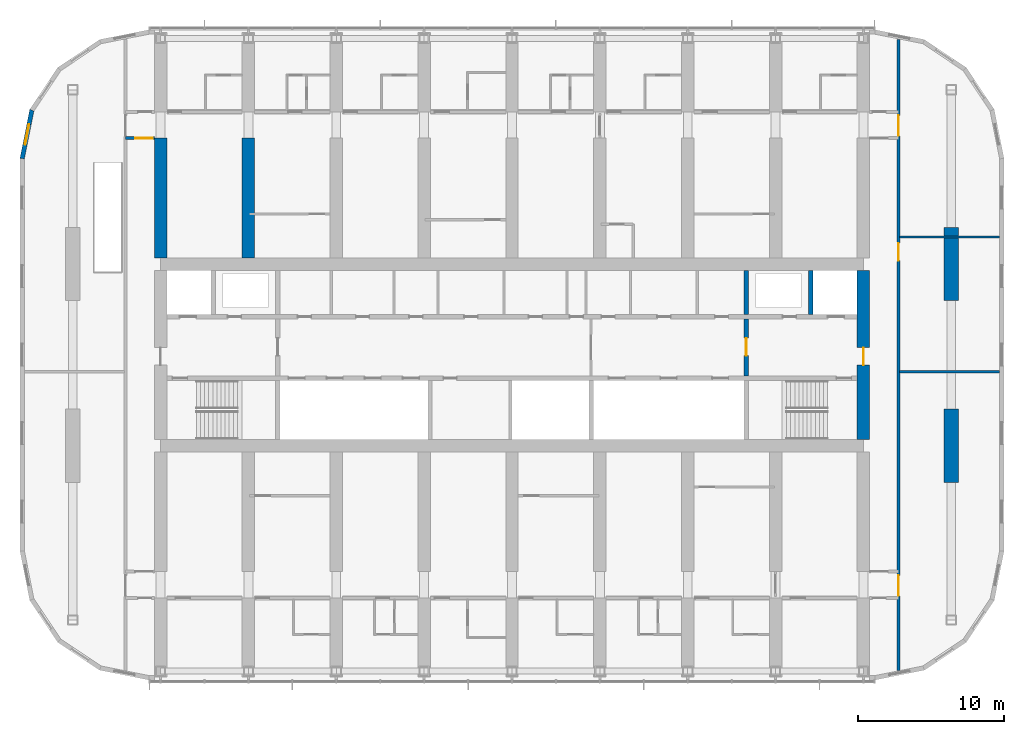
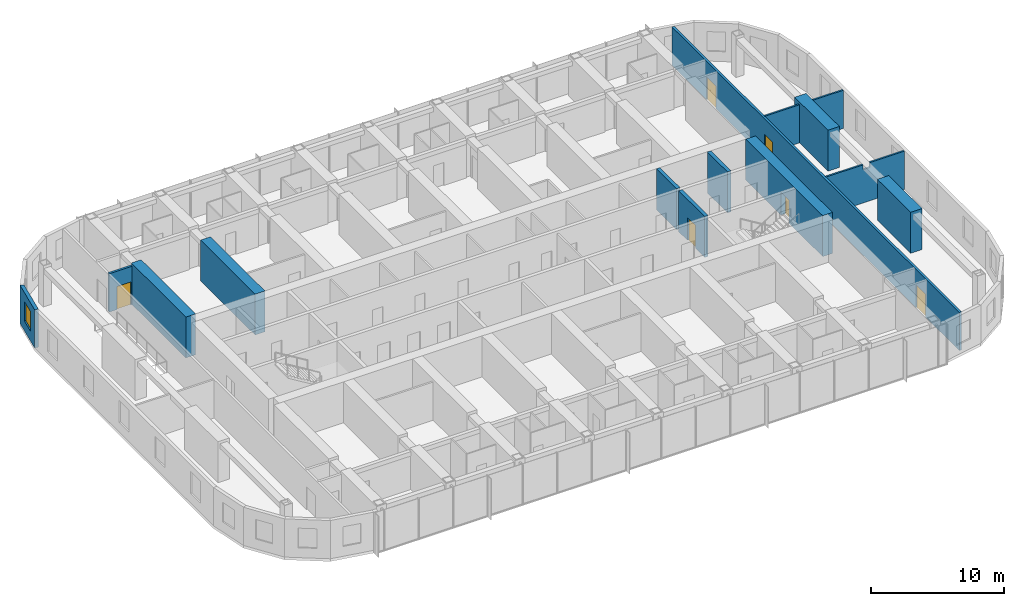
# One storey, part 14 of 22: 13 walls, 6 doors, 1 window, 7 openings.
"""IFC4 building model written with IfcOpenShell, lengths in metres."""

import ifcopenshell
import ifcopenshell.guid

model = None  # the IFC model being written
_history = None  # IfcOwnerHistory: only IFC2X3 demands one
_inside = {}  # id of a spatial element -> (the spatial element, [elements in it])
_under = {}  # id of a project, library or spatial element -> (it, [spatial elements below it])
_declared = {}  # id of a project -> (the project, [libraries it declares])
_typed = {}  # id of a type object -> (the type object, [elements of that type])
_made_of = {}  # id of a material, layer set ... -> (it, [elements and type objects made of it])


def new_model(schema):
    """Start an empty IFC model of exactly this schema.

    Asked for "IFC4X3", IfcOpenShell would pick the latest addendum, in which some entities
    have other attributes; the version numbers below select the first issue.
    IFC2X3 requires an IfcOwnerHistory on every rooted entity: one is made here for all.
    """
    global model, _history
    if schema == "IFC4X3":
        model = ifcopenshell.file(schema_version=(4, 3, 0, 0))
    else:
        model = ifcopenshell.file(schema=schema)
    _inside.clear()
    _under.clear()
    _declared.clear()
    _typed.clear()
    _made_of.clear()
    _history = None
    if model.schema == "IFC2X3":
        org = make("IfcOrganization", Name="unknown")
        user = make(
            "IfcPersonAndOrganization",
            ThePerson=make("IfcPerson", FamilyName="unknown"),
            TheOrganization=org,
        )
        app = make(
            "IfcApplication",
            ApplicationDeveloper=org,
            Version="unknown",
            ApplicationFullName="unknown",
            ApplicationIdentifier="unknown",
        )
        _history = make(
            "IfcOwnerHistory",
            OwningUser=user,
            OwningApplication=app,
            ChangeAction="ADDED",
            CreationDate=0,
        )
    return model


def make(cls, **values):
    """One entity of the class cls with the attributes given. An attribute that is None is left unset."""
    return model.create_entity(
        cls, **{name: value for name, value in values.items() if value is not None}
    )


def rooted(cls, **values):
    """An entity with a GlobalId (a new one), such as an element, a storey or a relation."""
    return make(cls, GlobalId=ifcopenshell.guid.new(), OwnerHistory=_history, **values)


def si_unit(unit_type, name, prefix=None):
    """IfcSIUnit, for example si_unit("LENGTHUNIT", "METRE", prefix="MILLI")."""
    return make("IfcSIUnit", UnitType=unit_type, Prefix=prefix, Name=name)


def assignment(units):
    """IfcUnitAssignment: the units of a project."""
    return None if units is None else make("IfcUnitAssignment", Units=units)


def point(xyz):
    """IfcCartesianPoint."""
    return None if xyz is None else make("IfcCartesianPoint", Coordinates=xyz)


def direction(xyz):
    """IfcDirection."""
    return None if xyz is None else make("IfcDirection", DirectionRatios=xyz)


def frame(location, z_axis=None, x_axis=None):
    """IfcAxis2Placement3D, a coordinate frame: its origin and axes. An axis left out is left unset."""
    return make(
        "IfcAxis2Placement3D",
        Location=point(location),
        Axis=direction(z_axis),
        RefDirection=direction(x_axis),
    )


def frame_2d(location, x_axis=None):
    """IfcAxis2Placement2D, a coordinate frame in the plane: its origin and x axis."""
    return make(
        "IfcAxis2Placement2D", Location=point(location), RefDirection=direction(x_axis)
    )


def origin():
    """The frame at (0, 0, 0) with its axes left unset."""
    return frame((0.0, 0.0, 0.0))


def place(relative_to, where):
    """IfcLocalPlacement: puts the frame where relative to a parent placement (None: the world)."""
    return make(
        "IfcLocalPlacement", PlacementRelTo=relative_to, RelativePlacement=where
    )


def context(
    kind, dimensions, precision=None, world=None, true_north=None, identifier=None
):
    """IfcGeometricRepresentationContext, for example the 3D "Model" context."""
    return make(
        "IfcGeometricRepresentationContext",
        ContextIdentifier=identifier,
        ContextType=kind,
        CoordinateSpaceDimension=dimensions,
        Precision=precision,
        WorldCoordinateSystem=world,
        TrueNorth=true_north,
    )


def subcontext(parent, identifier, kind, view, scale=None):
    """IfcGeometricRepresentationSubContext, for example "Body" below "Model"."""
    return make(
        "IfcGeometricRepresentationSubContext",
        ContextIdentifier=identifier,
        ContextType=kind,
        ParentContext=parent,
        TargetScale=scale,
        TargetView=view,
    )


def project(units=None, contexts=None):
    """IfcProject with its units and contexts."""
    return rooted(
        "IfcProject",
        Name="project",
        RepresentationContexts=contexts,
        UnitsInContext=assignment(units),
    )


def spatial(cls, under=None, at=None, **own):
    """A site, building, storey or space (cls), placed at a placement, below another one or the project."""
    s = rooted(cls, ObjectPlacement=at, **own)
    if under is not None:
        _under.setdefault(under.id(), (under, []))[1].append(s)
    return s


def polyline(points):
    """IfcPolyline through the points."""
    return make("IfcPolyline", Points=[point(p) for p in points])


def profile(cls, at=None, kind="AREA", **sizes):
    """A parametric profile (cls). Its sizes go by their IFC names, for example OverallWidth=200.0."""
    return make(cls, ProfileType=kind, Position=at, **sizes)


def rectangle(**sizes):
    """IfcRectangleProfileDef."""
    return profile("IfcRectangleProfileDef", **sizes)


def outline(outer, holes=None, kind="AREA"):
    """IfcArbitraryClosedProfileDef: a profile drawn as a closed curve; with holes, ...WithVoids."""
    if holes is None:
        return make("IfcArbitraryClosedProfileDef", ProfileType=kind, OuterCurve=outer)
    return make(
        "IfcArbitraryProfileDefWithVoids",
        ProfileType=kind,
        OuterCurve=outer,
        InnerCurves=holes,
    )


def extrude(swept, where, along, depth):
    """IfcExtrudedAreaSolid: the profile swept, set in the frame where, extruded along a direction by depth."""
    return make(
        "IfcExtrudedAreaSolid",
        SweptArea=swept,
        Position=where,
        ExtrudedDirection=direction(along),
        Depth=depth,
    )


def shape(context_of_items, identifier, shape_type, items):
    """IfcShapeRepresentation: the items that make up one representation, for example the "Body"."""
    return make(
        "IfcShapeRepresentation",
        ContextOfItems=context_of_items,
        RepresentationIdentifier=identifier,
        RepresentationType=shape_type,
        Items=items,
    )


def material(Name=None, Category=None):
    """IfcMaterial."""
    return make("IfcMaterial", Name=Name, Category=Category)


def layer(
    of_material, thickness, ventilated=None, Name=None, Category=None, Priority=None
):
    """IfcMaterialLayer: one layer of a wall or slab, of a material (None: an air gap)."""
    return make(
        "IfcMaterialLayer",
        Material=of_material,
        LayerThickness=thickness,
        IsVentilated=ventilated,
        Name=Name,
        Category=Category,
        Priority=Priority,
    )


def layer_set(layers, Name=None):
    """IfcMaterialLayerSet."""
    return make("IfcMaterialLayerSet", MaterialLayers=layers, LayerSetName=Name)


def made_of(thing, what):
    """Note that an element or type object is made of a material, layer set ...; save() writes the relation."""
    if what is not None:
        _made_of.setdefault(what.id(), (what, []))[1].append(thing)
    return thing


def type_object(cls, material=None, **own):
    """A type object (cls), such as IfcWallType, which elements share."""
    return made_of(rooted(cls, **own), material)


def element(
    cls,
    number,
    at=None,
    inside=None,
    cuts=None,
    type_object=None,
    material=None,
    context=None,
    identifier="Body",
    shape_type=None,
    held_by="IfcProductDefinitionShape",
    body=None,
    shapes=None,
    **own,
):
    """One element of the class cls, such as IfcWall. Its Tag is "e" and its number.

    at: its placement. inside: the storey or other place that contains it. cuts: it is an
    opening in that element (IfcRelVoidsElement). A single representation is given by context,
    identifier, shape_type and body (its items); several are given by shapes. held_by: the class
    of the entity that holds the representations. save() writes the other relations.
    """
    e = rooted(cls, Tag="e%d" % number, ObjectPlacement=at, **own)
    if body is not None:
        shapes = [shape(context, identifier, shape_type, body)]
    if shapes is not None:
        e.Representation = make(held_by, Representations=shapes)
    if inside is not None:
        _inside.setdefault(inside.id(), (inside, []))[1].append(e)
    if cuts is not None:
        rooted(
            "IfcRelVoidsElement", RelatingBuildingElement=cuts, RelatedOpeningElement=e
        )
    if type_object is not None:
        _typed.setdefault(type_object.id(), (type_object, []))[1].append(e)
    return made_of(e, material)


def fill(opening, filler):
    """IfcRelFillsElement: the door or window that sits in an opening."""
    return rooted(
        "IfcRelFillsElement",
        RelatingOpeningElement=opening,
        RelatedBuildingElement=filler,
    )


def aggregate(whole, parts):
    """IfcRelAggregates: a whole, such as a stair, and the parts it consists of."""
    return rooted("IfcRelAggregates", RelatingObject=whole, RelatedObjects=parts)


def save(model, path):
    """Write the relations noted so far, then the file.

    IfcRelAggregates (storeys below a building ...), IfcRelContainedInSpatialStructure (elements
    in a storey), IfcRelDefinesByType, IfcRelAssociatesMaterial and IfcRelDeclares: one each for
    every whole, place, type object, material and project.
    """
    for whole, parts in _under.values():
        aggregate(whole, parts)
    for where, things in _inside.values():
        rooted(
            "IfcRelContainedInSpatialStructure",
            RelatedElements=things,
            RelatingStructure=where,
        )
    for kind, things in _typed.values():
        rooted("IfcRelDefinesByType", RelatedObjects=things, RelatingType=kind)
    for what, things in _made_of.values():
        rooted("IfcRelAssociatesMaterial", RelatedObjects=things, RelatingMaterial=what)
    for by, libraries in _declared.values():
        rooted("IfcRelDeclares", RelatingContext=by, RelatedDefinitions=libraries)
    model.write(path)


model = new_model("IFC4")

# Units and contexts
model_context = context("Model", 3, precision=1e-05, world=origin(), true_north=direction((0.0, 1.0)))
body_context = subcontext(model_context, "Body", "Model", "MODEL_VIEW")
ifc_project = project(units=[si_unit("LENGTHUNIT", "METRE"), si_unit("AREAUNIT", "SQUARE_METRE"), si_unit("VOLUMEUNIT", "CUBIC_METRE"), si_unit("PLANEANGLEUNIT", "RADIAN"), si_unit("MASSUNIT", "GRAM", prefix="KILO")], contexts=[model_context])

# Site, building, storey
site_placement = place(None, origin())
site = spatial("IfcSite", under=ifc_project, at=site_placement, CompositionType="ELEMENT")
building_placement = place(site_placement, origin())
building = spatial("IfcBuilding", under=site, at=building_placement, Name="Orbita Commons", CompositionType="ELEMENT")
storey_placement = place(building_placement, frame((0.0, 0.0, 152.35009765625)))
storey = spatial("IfcBuildingStorey", under=building, at=storey_placement, Name="L37", CompositionType="ELEMENT", Elevation=152.35009765625)

# Wall, opening, door
ifc_material_1 = material(Name="Concrete C50/60", Category="concrete")
ifc_layer_1 = layer(ifc_material_1, 0.300048828125)
ifc_layer_set_1 = layer_set([ifc_layer_1], Name="Concrete C50/60")
wall_type_1 = type_object("IfcWallType", Name="Core inner wall 300 C50/60", PredefinedType="SHEAR", material=ifc_layer_set_1)
wall_1_placement = place(storey_placement, frame((58.0, 30.550048828125, 0.0), z_axis=(0.0, 0.0, 1.0), x_axis=(0.0, 1.0, 0.0)))
wall_1 = element("IfcWall", 1, at=wall_1_placement, inside=storey, type_object=wall_type_1, Name="Firefighting lobby wall east L37", PredefinedType="SHEAR", context=body_context, shape_type="SweptSolid", body=[
    extrude(rectangle(XDim=3.89990234375, YDim=0.300048828125, at=frame_2d((1.949951171875, 0.0))), origin(), (0.0, 0.0, 1.0), 3.75),
])
opening_1_placement = place(wall_1_placement, frame((1.39990234375, 0.0, 0.0)))
opening_1 = element("IfcOpeningElement", 2, at=opening_1_placement, cuts=wall_1, Name="Opening D04", PredefinedType="OPENING", context=body_context, shape_type="SweptSolid", body=[
    extrude(rectangle(XDim=1.199951171875, YDim=2.10009765625, at=frame_2d((0.60009765625, 1.050048828125))), frame((0.0, 0.159912109375, 0.0), z_axis=(0.0, -1.0, 0.0), x_axis=(1.0, 0.0, 0.0)), (0.0, 0.0, 1.0), 0.320068359375),
])
ifc_material_2 = material(Name="Steel-faced fire door leaf", Category="steel")
door_type_1 = type_object("IfcDoorType", Name="Service door 20 min 1200x2100", OperationType="SINGLE_SWING_LEFT", PredefinedType="DOOR", material=ifc_material_2)
door_1_placement = place(opening_1_placement, origin())
door_1 = element("IfcDoor", 3, at=door_1_placement, inside=storey, type_object=door_type_1, Name="Lift lobby door east", OperationType="SINGLE_SWING_LEFT", OverallHeight=2.10009765625, OverallWidth=1.199951171875, PredefinedType="DOOR", context=body_context, shape_type="SweptSolid", body=[
    extrude(rectangle(XDim=1.199951171875, YDim=2.10009765625, at=frame_2d((0.60009765625, 1.050048828125))), frame((0.0, 0.02490234375, 0.0), z_axis=(0.0, -1.0, 0.0), x_axis=(1.0, 0.0, 0.0)), (0.0, 0.0, 1.0), 0.050048828125),
])
fill(opening_1, door_1)

# Walls
for number, where, z_axis, x_axis, name in (
    (4, (62.39990234375, 34.75, 0.0), (0.0, 0.0, 1.0), (0.0, 1.0, 0.0), "Firefighting lift FL2 shaft wall L37"),
    (5, (58.0, 34.75, 0.0), (0.0, 0.0, 1.0), (0.0, 1.0, 0.0), "Riser wall east L37"),
):
    element("IfcWall", number, at=place(storey_placement, frame(where, z_axis=z_axis, x_axis=x_axis)), inside=storey, type_object=wall_type_1, Name=name, PredefinedType="SHEAR", context=body_context, shape_type="SweptSolid", body=[
        extrude(rectangle(XDim=3.02490234375, YDim=0.300048828125, at=frame_2d((1.512451171875, 0.0))), origin(), (0.0, 0.0, 1.0), 3.75),
    ])

# Wall, opening, door
ifc_material_3 = material(Name="Concrete C50/60", Category="concrete")
ifc_layer_2 = layer(ifc_material_3, 0.85009765625)
ifc_layer_set_2 = layer_set([ifc_layer_2], Name="Concrete C50/60")
wall_type_2 = type_object("IfcWallType", Name="Core wall 850 C50/60", PredefinedType="SHEAR", material=ifc_layer_set_2)
wall_2_placement = place(storey_placement, frame((66.0, 26.22509765625, 0.0), z_axis=(0.0, 0.0, 1.0), x_axis=(0.0, 1.0, 0.0)))
wall_2 = element("IfcWall", 6, at=wall_2_placement, inside=storey, type_object=wall_type_2, Name="Core end wall east L37", PredefinedType="SHEAR", context=body_context, shape_type="SweptSolid", body=[
    extrude(rectangle(XDim=11.5498046875, YDim=0.85009765625, at=frame_2d((5.77490234375, 0.0))), origin(), (0.0, 0.0, 1.0), 3.75),
])
opening_2_placement = place(wall_2_placement, frame((5.074951171875, 0.0, 0.0)))
opening_2 = element("IfcOpeningElement", 7, at=opening_2_placement, cuts=wall_2, Name="Opening D01", PredefinedType="OPENING", context=body_context, shape_type="SweptSolid", body=[
    extrude(rectangle(XDim=1.199951171875, YDim=2.10009765625, at=frame_2d((0.60009765625, 1.050048828125))), frame((0.0, 0.43505859375, 0.0), z_axis=(0.0, -1.0, 0.0), x_axis=(1.0, 0.0, 0.0)), (0.0, 0.0, 1.0), 0.8701171875),
])
ifc_material_4 = material(Name="Steel-faced fire door leaf", Category="steel")
door_type_2 = type_object("IfcDoorType", Name="Fire door 90 min 1200x2100", OperationType="SINGLE_SWING_LEFT", PredefinedType="DOOR", material=ifc_material_4)
door_2_placement = place(opening_2_placement, origin())
door_2 = element("IfcDoor", 8, at=door_2_placement, inside=storey, type_object=door_type_2, Name="Firefighting lobby east door", OperationType="SINGLE_SWING_LEFT", OverallHeight=2.10009765625, OverallWidth=1.199951171875, PredefinedType="DOOR", context=body_context, shape_type="SweptSolid", body=[
    extrude(rectangle(XDim=1.199951171875, YDim=2.10009765625, at=frame_2d((0.60009765625, 1.050048828125))), frame((0.0, 0.02490234375, 0.0), z_axis=(0.0, -1.0, 0.0), x_axis=(1.0, 0.0, 0.0)), (0.0, 0.0, 1.0), 0.050048828125),
])
fill(opening_2, door_2)

# Wall, openings, doors
ifc_material_5 = material(Name="Concrete blockwork", Category="masonry")
ifc_layer_3 = layer(ifc_material_5, 0.199951171875)
ifc_layer_set_3 = layer_set([ifc_layer_3], Name="Concrete blockwork")
wall_type_3 = type_object("IfcWallType", Name="Corridor wall 200 blockwork", PredefinedType="SOLIDWALL", material=ifc_layer_set_3)
wall_3_placement = place(storey_placement, frame((68.39990234375, 10.4462890625, 0.0), z_axis=(0.0, 0.0, 1.0), x_axis=(0.0, 1.0, 0.0)))
wall_3 = element("IfcWall", 9, at=wall_3_placement, inside=storey, type_object=wall_type_3, Name="Corridor wall 200 blockwork L37", PredefinedType="SOLIDWALL", context=body_context, shape_type="SweptSolid", body=[
    extrude(rectangle(XDim=43.107421875, YDim=0.199951171875, at=frame_2d((21.5537109375, 0.0))), origin(), (0.0, 0.0, 1.0), 3.5),
])
opening_3_placement = place(wall_3_placement, frame((27.993896484375, 0.0, 0.0)))
opening_3 = element("IfcOpeningElement", 10, at=opening_3_placement, cuts=wall_3, Name="Opening D15", PredefinedType="OPENING", context=body_context, shape_type="SweptSolid", body=[
    extrude(rectangle(XDim=1.199951171875, YDim=2.10009765625, at=frame_2d((0.60009765625, 1.050048828125))), frame((0.0, 0.10986328125, 0.0), z_axis=(0.0, -1.0, 0.0), x_axis=(1.0, 0.0, 0.0)), (0.0, 0.0, 1.0), 0.219970703125),
])
opening_4_placement = place(wall_3_placement, frame((5.103759765625, 0.0, 0.0)))
opening_4 = element("IfcOpeningElement", 11, at=opening_4_placement, cuts=wall_3, Name="Opening D08", PredefinedType="OPENING", context=body_context, shape_type="SweptSolid", body=[
    extrude(rectangle(XDim=1.39990234375, YDim=2.10009765625, at=frame_2d((0.699951171875, 1.050048828125))), frame((0.0, 0.10986328125, 0.0), z_axis=(0.0, -1.0, 0.0), x_axis=(1.0, 0.0, 0.0)), (0.0, 0.0, 1.0), 0.219970703125),
])
opening_5_placement = place(wall_3_placement, frame((36.50390625, 0.0, 0.0)))
opening_5 = element("IfcOpeningElement", 12, at=opening_5_placement, cuts=wall_3, Name="Opening D08", PredefinedType="OPENING", context=body_context, shape_type="SweptSolid", body=[
    extrude(rectangle(XDim=1.39990234375, YDim=2.10009765625, at=frame_2d((0.699951171875, 1.050048828125))), frame((0.0, 0.10986328125, 0.0), z_axis=(0.0, -1.0, 0.0), x_axis=(1.0, 0.0, 0.0)), (0.0, 0.0, 1.0), 0.219970703125),
])
ifc_material_6 = material(Name="Steel-faced fire door leaf", Category="steel")
door_type_3 = type_object("IfcDoorType", Name="Corridor door 20 min 1200x2100", OperationType="SINGLE_SWING_LEFT", PredefinedType="DOOR", material=ifc_material_6)
door_3_placement = place(opening_3_placement, origin())
door_3 = element("IfcDoor", 13, at=door_3_placement, inside=storey, type_object=door_type_3, Name="Study hall door", OperationType="SINGLE_SWING_LEFT", OverallHeight=2.10009765625, OverallWidth=1.199951171875, PredefinedType="DOOR", context=body_context, shape_type="SweptSolid", body=[
    extrude(rectangle(XDim=1.199951171875, YDim=2.10009765625, at=frame_2d((0.60009765625, 1.050048828125))), frame((0.0, 0.02490234375, 0.0), z_axis=(0.0, -1.0, 0.0), x_axis=(1.0, 0.0, 0.0)), (0.0, 0.0, 1.0), 0.050048828125),
])
fill(opening_3, door_3)
ifc_material_7 = material(Name="Steel-faced fire door leaf", Category="steel")
door_type_4 = type_object("IfcDoorType", Name="Double corridor door 20 min 1400x2100", OperationType="DOUBLE_DOOR_SINGLE_SWING", PredefinedType="DOOR", material=ifc_material_7)
door_4_placement = place(opening_4_placement, origin())
door_4 = element("IfcDoor", 14, at=door_4_placement, inside=storey, type_object=door_type_4, Name="Lounge doors", OperationType="DOUBLE_DOOR_SINGLE_SWING", OverallHeight=2.10009765625, OverallWidth=1.39990234375, PredefinedType="DOOR", context=body_context, shape_type="SweptSolid", body=[
    extrude(rectangle(XDim=1.39990234375, YDim=2.10009765625, at=frame_2d((0.699951171875, 1.050048828125))), frame((0.0, 0.02490234375, 0.0), z_axis=(0.0, -1.0, 0.0), x_axis=(1.0, 0.0, 0.0)), (0.0, 0.0, 1.0), 0.050048828125),
])
fill(opening_4, door_4)
door_5_placement = place(opening_5_placement, origin())
door_5 = element("IfcDoor", 15, at=door_5_placement, inside=storey, type_object=door_type_4, Name="Lounge doors", OperationType="DOUBLE_DOOR_SINGLE_SWING", OverallHeight=2.10009765625, OverallWidth=1.39990234375, PredefinedType="DOOR", context=body_context, shape_type="SweptSolid", body=[
    extrude(rectangle(XDim=1.39990234375, YDim=2.10009765625, at=frame_2d((0.699951171875, 1.050048828125))), frame((0.0, 0.02490234375, 0.0), z_axis=(0.0, -1.0, 0.0), x_axis=(1.0, 0.0, 0.0)), (0.0, 0.0, 1.0), 0.050048828125),
])
fill(opening_5, door_5)

# Wall, opening, door
ifc_material_8 = material(Name="Hollow concrete block 200", Category="concrete")
ifc_layer_4 = layer(ifc_material_8, 0.199951171875)
ifc_layer_set_4 = layer_set([ifc_layer_4], Name="Hollow concrete block 200")
wall_type_4 = type_object("IfcWallType", Name="Corridor wall 200 hollow concrete block", PredefinedType="SOLIDWALL", material=ifc_layer_set_4)
wall_4_placement = place(storey_placement, frame((15.60009765625, 46.800048828125, 0.0), z_axis=(0.0, 0.0, 1.0), x_axis=(1.0, 0.0, 0.0)))
wall_4 = element("IfcWall", 16, at=wall_4_placement, inside=storey, type_object=wall_type_4, Name="Corridor wall 200 hollow concrete block L37", PredefinedType="SOLIDWALL", context=body_context, shape_type="SweptSolid", body=[
    extrude(rectangle(XDim=1.974853515625, YDim=0.199951171875, at=frame_2d((0.9873046875, 0.0))), origin(), (0.0, 0.0, 1.0), 3.5),
])
opening_6_placement = place(wall_4_placement, frame((0.675048828125, 0.0, 0.0)))
opening_6 = element("IfcOpeningElement", 17, at=opening_6_placement, cuts=wall_4, Name="Opening D12", PredefinedType="OPENING", context=body_context, shape_type="SweptSolid", body=[
    extrude(rectangle(XDim=1.199951171875, YDim=2.10009765625, at=frame_2d((0.60009765625, 1.050048828125))), frame((0.0, 0.10986328125, 0.0), z_axis=(0.0, -1.0, 0.0), x_axis=(1.0, 0.0, 0.0)), (0.0, 0.0, 1.0), 0.219970703125),
])
ifc_material_9 = material(Name="Steel-faced fire door leaf", Category="steel")
door_type_5 = type_object("IfcDoorType", Name="Double corridor door 20 min 1200x2100", OperationType="DOUBLE_DOOR_SINGLE_SWING", PredefinedType="DOOR", material=ifc_material_9)
door_6_placement = place(opening_6_placement, origin())
door_6 = element("IfcDoor", 18, at=door_6_placement, inside=storey, type_object=door_type_5, Name="Cross corridor doors", OperationType="DOUBLE_DOOR_SINGLE_SWING", OverallHeight=2.10009765625, OverallWidth=1.199951171875, PredefinedType="DOOR", context=body_context, shape_type="SweptSolid", body=[
    extrude(rectangle(XDim=1.199951171875, YDim=2.10009765625, at=frame_2d((0.60009765625, 1.050048828125))), frame((0.0, 0.02490234375, 0.0), z_axis=(0.0, -1.0, 0.0), x_axis=(1.0, 0.0, 0.0)), (0.0, 0.0, 1.0), 0.050048828125),
])
fill(opening_6, door_6)

# Walls
ifc_material_10 = material(Name="Concrete C50/60", Category="concrete")
ifc_layer_5 = layer(ifc_material_10, 0.85009765625)
ifc_layer_set_5 = layer_set([ifc_layer_5], Name="Concrete C50/60")
wall_type_5 = type_object("IfcWallType", Name="Cross wall 850 C50/60", PredefinedType="SHEAR", material=ifc_layer_set_5)
for number, where, z_axis, x_axis, name in (
    (19, (18.0, 38.625, 0.0), (0.0, 0.0, 1.0), (0.0, 1.0, 0.0), "Cross wall 4 north inner L37"),
    (20, (24.0, 38.625, 0.0), (0.0, 0.0, 1.0), (0.0, 1.0, 0.0), "Cross wall 5 north inner L37"),
):
    element("IfcWall", number, at=place(storey_placement, frame(where, z_axis=z_axis, x_axis=x_axis)), inside=storey, type_object=wall_type_5, Name=name, PredefinedType="SHEAR", context=body_context, shape_type="SweptSolid", body=[
        extrude(rectangle(XDim=8.175048828125, YDim=0.85009765625, at=frame_2d((4.08740234375, 0.0))), origin(), (0.0, 0.0, 1.0), 3.75),
    ])
ifc_material_11 = material(Name="Concrete C50/60", Category="concrete")
ifc_layer_6 = layer(ifc_material_11, 1.0)
ifc_layer_set_6 = layer_set([ifc_layer_6], Name="Concrete C50/60")
wall_type_6 = type_object("IfcWallType", Name="End pier 1000x5000 C50/60", PredefinedType="SHEAR", material=ifc_layer_set_6)
for number, where, z_axis, x_axis, name in (
    (21, (72.0, 23.300048828125, 0.0), (0.0, 0.0, 1.0), (0.0, 1.0, 0.0), "End pier 13/C L37"),
    (22, (72.0, 35.699951171875, 0.0), (0.0, 0.0, 1.0), (0.0, 1.0, 0.0), "End pier 13/D L37"),
):
    element("IfcWall", number, at=place(storey_placement, frame(where, z_axis=z_axis, x_axis=x_axis)), inside=storey, type_object=wall_type_6, Name=name, PredefinedType="SHEAR", context=body_context, shape_type="SweptSolid", body=[
        extrude(rectangle(XDim=5.0, YDim=1.0, at=frame_2d((2.5, 0.0))), origin(), (0.0, 0.0, 1.0), 3.75),
    ])
ifc_material_12 = material(Name="Gypsum plasterboard on steel studs", Category="steel")
ifc_layer_7 = layer(ifc_material_12, 0.14990234375)
ifc_layer_set_7 = layer_set([ifc_layer_7], Name="Gypsum plasterboard on steel studs")
wall_type_7 = type_object("IfcWallType", Name="Partition 150 plasterboard", PredefinedType="PARTITIONING", material=ifc_layer_set_7)
wall_5_placement = place(storey_placement, frame((68.47509765625, 30.85009765625, 0.0), z_axis=(0.0, 0.0, 1.0), x_axis=(1.0, 0.0, 0.0)))
element("IfcWall", 23, at=wall_5_placement, inside=storey, type_object=wall_type_7, Name="Partition 150 plasterboard L37", PredefinedType="PARTITIONING", context=body_context, shape_type="SweptSolid", body=[
    extrude(outline(polyline([(0.0, 0.0), (6.81982421875, 0.0), (6.820068359375, 3.5), (3.826904296875, 3.5), (3.824951171875, 3.0498046875), (3.22705078125, 3.0498046875), (3.22509765625, 3.5), (0.0, 3.5), (0.0, 0.0)])), frame((0.0, 0.074951171875, 0.0), z_axis=(0.0, -1.0, 0.0), x_axis=(1.0, 0.0, 0.0)), (0.0, 0.0, 1.0), 0.14990234375),
])
wall_6_placement = place(storey_placement, frame((68.47509765625, 40.0400390625, 0.0), z_axis=(0.0, 0.0, 1.0), x_axis=(1.0, 0.0, 0.0)))
element("IfcWall", 24, at=wall_6_placement, inside=storey, type_object=wall_type_7, Name="Partition 150 plasterboard L37", PredefinedType="PARTITIONING", context=body_context, shape_type="SweptSolid", body=[
    extrude(rectangle(XDim=6.81982421875, YDim=0.14990234375, at=frame_2d((3.409912109375, 0.0))), origin(), (0.0, 0.0, 1.0), 3.5),
])

# Wall, opening, window
ifc_material_13 = material(Name="Precast concrete C40/50, white board-marked finish", Category="concrete")
ifc_layer_8 = layer(ifc_material_13, 0.300048828125)
ifc_layer_set_8 = layer_set([ifc_layer_8], Name="Precast concrete C40/50, white board-marked finish")
wall_type_8 = type_object("IfcWallType", Name="Precast concrete end shield 300", PredefinedType="SOLIDWALL", material=ifc_layer_set_8)
wall_7_placement = place(storey_placement, frame((9.20849609375, 48.710205078125, 0.0), z_axis=(0.0, 0.0, 1.0), x_axis=(-0.19508664885, -0.980786011034, 0.0)))
wall_7 = element("IfcWall", 25, at=wall_7_placement, inside=storey, type_object=wall_type_8, Name="End shield NW chord 4 L37", PredefinedType="SOLIDWALL", context=body_context, shape_type="SweptSolid", body=[
    extrude(outline(polyline([(-0.02978515625, -0.14990234375), (3.39013671875, -0.14990234375), (3.3603515625, 0.14990234375), (0.02978515625, 0.14990234375), (-0.02978515625, -0.14990234375)])), origin(), (0.0, 0.0, 1.0), 3.5),
])
opening_7_placement = place(wall_7_placement, frame((0.987548828125, 0.0, 0.89990234375)))
opening_7 = element("IfcOpeningElement", 26, at=opening_7_placement, cuts=wall_7, Name="Opening W02", PredefinedType="OPENING", context=body_context, shape_type="SweptSolid", body=[
    extrude(rectangle(XDim=1.39990234375, YDim=1.800048828125, at=frame_2d((0.699951171875, 0.89990234375))), frame((0.0, 0.159912109375, 0.0), z_axis=(0.0, -1.0, 0.0), x_axis=(1.0, 0.0, 0.0)), (0.0, 0.0, 1.0), 0.320068359375),
])
ifc_material_14 = material(Name="Aluminium frame, clear double glazing", Category="aluminium")
window_type = type_object("IfcWindowType", Name="Deep-set window 1400x1800", PartitioningType="SINGLE_PANEL", PredefinedType="WINDOW", material=ifc_material_14)
window_placement = place(opening_7_placement, origin())
window = element("IfcWindow", 27, at=window_placement, inside=storey, type_object=window_type, Name="Window L37-NW3", OverallHeight=1.800048828125, OverallWidth=1.39990234375, PartitioningType="SINGLE_PANEL", PredefinedType="WINDOW", context=body_context, shape_type="SweptSolid", body=[
    extrude(rectangle(XDim=1.39990234375, YDim=1.800048828125, at=frame_2d((0.699951171875, 0.89990234375))), frame((0.0, 0.030029296875, 0.0), z_axis=(0.0, -1.0, 0.0), x_axis=(1.0, 0.0, 0.0)), (0.0, 0.0, 1.0), 0.06005859375),
])
fill(opening_7, window)

save(model, "model.ifc")
